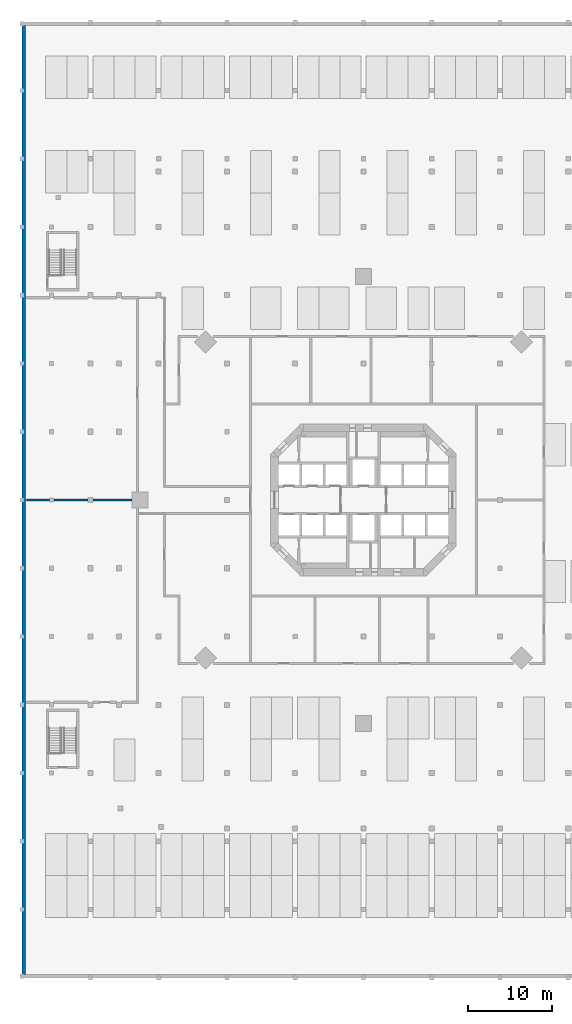
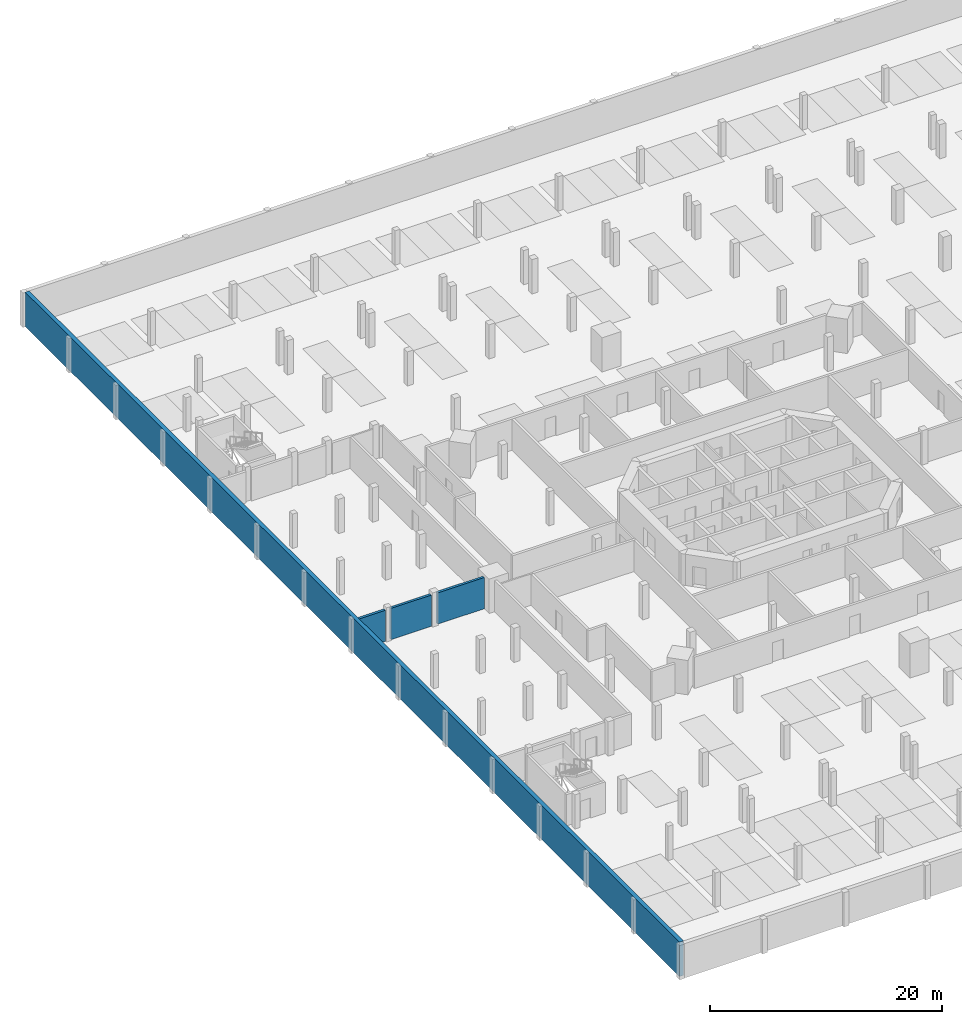
# One storey, part 4 of 14: 4 walls.
"""IFC4 building model written with IfcOpenShell, lengths in metres."""

from ifc_helpers import new_model, si_unit, direction, frame, frame_2d, origin, place, context, subcontext, project, spatial, rectangle, extrude, material, layer, layer_set, type_object, element, save


model = new_model("IFC4")

# Units and contexts
model_context = context("Model", 3, precision=1e-05, world=origin(), true_north=direction((0.0, 1.0)))
body_context = subcontext(model_context, "Body", "Model", "MODEL_VIEW")
ifc_project = project(units=[si_unit("LENGTHUNIT", "METRE"), si_unit("AREAUNIT", "SQUARE_METRE"), si_unit("VOLUMEUNIT", "CUBIC_METRE"), si_unit("PLANEANGLEUNIT", "RADIAN"), si_unit("MASSUNIT", "GRAM", prefix="KILO")], contexts=[model_context])

# Site, building, storey
site_placement = place(None, origin())
site = spatial("IfcSite", under=ifc_project, at=site_placement, CompositionType="ELEMENT")
building_placement = place(site_placement, origin())
building = spatial("IfcBuilding", under=site, at=building_placement, Name="Torre Triforio", CompositionType="ELEMENT")
storey_placement = place(building_placement, frame((0.0, 0.0, -7.199951171875)))
storey = spatial("IfcBuildingStorey", under=building, at=storey_placement, Name="B2", CompositionType="ELEMENT", Elevation=-7.199951171875)

# Walls
ifc_material_1 = material(Name="Masonry block", Category="masonry")
ifc_layer_1 = layer(ifc_material_1, 0.25)
ifc_layer_set_1 = layer_set([ifc_layer_1], Name="Masonry block")
wall_type_1 = type_object("IfcWallType", Name="Plant room wall 250 EI 120", PredefinedType="PARTITIONING", material=ifc_layer_set_1)
wall_1_placement = place(storey_placement, frame((-40.0, 0.0, 0.0), z_axis=(0.0, 0.0, 1.0), x_axis=(1.0, 0.0, 0.0)))
element("IfcWall", 1, at=wall_1_placement, inside=storey, type_object=wall_type_1, Name="Plant room wall B2 061", PredefinedType="PARTITIONING", context=body_context, shape_type="SweptSolid", body=[
    extrude(rectangle(XDim=2.739990234375, YDim=0.25, at=frame_2d((1.3701171875, 0.0))), origin(), (0.0, 0.0, 1.0), 3.280029296875),
])
wall_2_placement = place(storey_placement, frame((-36.739990234375, 0.0, 0.0), z_axis=(0.0, 0.0, 1.0), x_axis=(1.0, 0.0, 0.0)))
element("IfcWall", 2, at=wall_2_placement, inside=storey, type_object=wall_type_1, Name="Plant room wall B2 062", PredefinedType="PARTITIONING", context=body_context, shape_type="SweptSolid", body=[
    extrude(rectangle(XDim=4.030029296875, YDim=0.25, at=frame_2d((2.01513671875, 0.0))), origin(), (0.0, 0.0, 1.0), 3.280029296875),
])
wall_3_placement = place(storey_placement, frame((-32.090087890625, 0.0, 0.0), z_axis=(0.0, 0.0, 1.0), x_axis=(1.0, 0.0, 0.0)))
element("IfcWall", 3, at=wall_3_placement, inside=storey, type_object=wall_type_1, Name="Plant room wall B2 063", PredefinedType="PARTITIONING", context=body_context, shape_type="SweptSolid", body=[
    extrude(rectangle(XDim=4.630126953125, YDim=0.25, at=frame_2d((2.31494140625, 0.0))), origin(), (0.0, 0.0, 1.0), 3.280029296875),
])
ifc_material_2 = material(Name="Concrete C40", Category="concrete")
ifc_layer_2 = layer(ifc_material_2, 0.39990234375)
ifc_layer_set_2 = layer_set([ifc_layer_2], Name="Concrete C40")
wall_type_2 = type_object("IfcWallType", Name="Retaining wall 400 C40", PredefinedType="SOLIDWALL", material=ifc_layer_set_2)
wall_4_placement = place(storey_placement, frame((-40.300048828125, -56.300048828125, 0.0), z_axis=(0.0, 0.0, 1.0), x_axis=(0.0, 1.0, 0.0)))
element("IfcWall", 4, at=wall_4_placement, inside=storey, type_object=wall_type_2, Name="WL.RET.B2.W", PredefinedType="SOLIDWALL", context=body_context, shape_type="SweptSolid", body=[
    extrude(rectangle(XDim=112.60009765625, YDim=0.39990234375, at=frame_2d((56.300048828125, 0.0))), origin(), (0.0, 0.0, 1.0), 3.599853515625),
])

save(model, "model.ifc")
